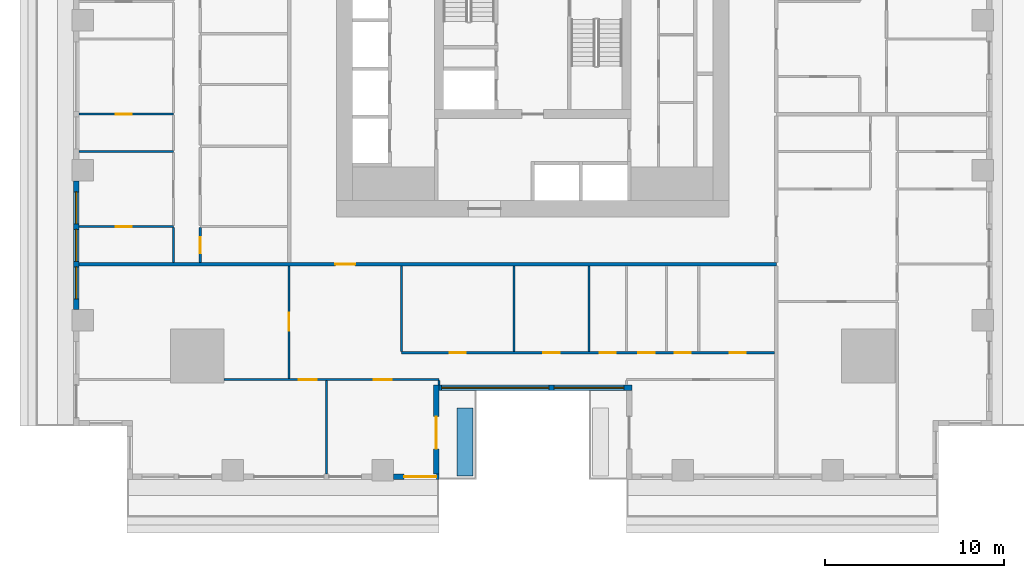
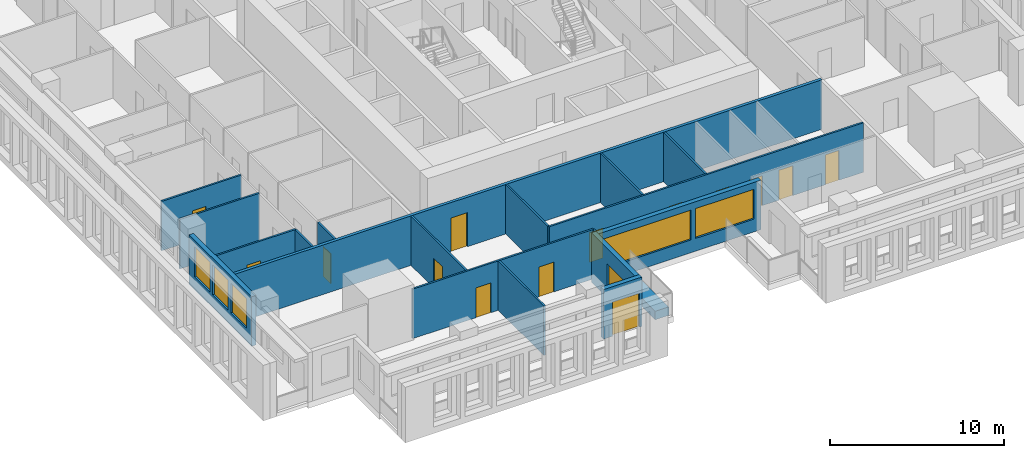
# One storey, part 2 of 15: 19 walls, 15 doors, 5 windows, 20 openings.
"""IFC4 building model written with IfcOpenShell, lengths in metres."""

import ifcopenshell
import ifcopenshell.guid

model = None  # the IFC model being written
_history = None  # IfcOwnerHistory: only IFC2X3 demands one
_inside = {}  # id of a spatial element -> (the spatial element, [elements in it])
_under = {}  # id of a project, library or spatial element -> (it, [spatial elements below it])
_declared = {}  # id of a project -> (the project, [libraries it declares])
_typed = {}  # id of a type object -> (the type object, [elements of that type])
_made_of = {}  # id of a material, layer set ... -> (it, [elements and type objects made of it])


def new_model(schema):
    """Start an empty IFC model of exactly this schema.

    Asked for "IFC4X3", IfcOpenShell would pick the latest addendum, in which some entities
    have other attributes; the version numbers below select the first issue.
    IFC2X3 requires an IfcOwnerHistory on every rooted entity: one is made here for all.
    """
    global model, _history
    if schema == "IFC4X3":
        model = ifcopenshell.file(schema_version=(4, 3, 0, 0))
    else:
        model = ifcopenshell.file(schema=schema)
    _inside.clear()
    _under.clear()
    _declared.clear()
    _typed.clear()
    _made_of.clear()
    _history = None
    if model.schema == "IFC2X3":
        org = make("IfcOrganization", Name="unknown")
        user = make(
            "IfcPersonAndOrganization",
            ThePerson=make("IfcPerson", FamilyName="unknown"),
            TheOrganization=org,
        )
        app = make(
            "IfcApplication",
            ApplicationDeveloper=org,
            Version="unknown",
            ApplicationFullName="unknown",
            ApplicationIdentifier="unknown",
        )
        _history = make(
            "IfcOwnerHistory",
            OwningUser=user,
            OwningApplication=app,
            ChangeAction="ADDED",
            CreationDate=0,
        )
    return model


def make(cls, **values):
    """One entity of the class cls with the attributes given. An attribute that is None is left unset."""
    return model.create_entity(
        cls, **{name: value for name, value in values.items() if value is not None}
    )


def rooted(cls, **values):
    """An entity with a GlobalId (a new one), such as an element, a storey or a relation."""
    return make(cls, GlobalId=ifcopenshell.guid.new(), OwnerHistory=_history, **values)


def si_unit(unit_type, name, prefix=None):
    """IfcSIUnit, for example si_unit("LENGTHUNIT", "METRE", prefix="MILLI")."""
    return make("IfcSIUnit", UnitType=unit_type, Prefix=prefix, Name=name)


def assignment(units):
    """IfcUnitAssignment: the units of a project."""
    return None if units is None else make("IfcUnitAssignment", Units=units)


def point(xyz):
    """IfcCartesianPoint."""
    return None if xyz is None else make("IfcCartesianPoint", Coordinates=xyz)


def direction(xyz):
    """IfcDirection."""
    return None if xyz is None else make("IfcDirection", DirectionRatios=xyz)


def frame(location, z_axis=None, x_axis=None):
    """IfcAxis2Placement3D, a coordinate frame: its origin and axes. An axis left out is left unset."""
    return make(
        "IfcAxis2Placement3D",
        Location=point(location),
        Axis=direction(z_axis),
        RefDirection=direction(x_axis),
    )


def frame_2d(location, x_axis=None):
    """IfcAxis2Placement2D, a coordinate frame in the plane: its origin and x axis."""
    return make(
        "IfcAxis2Placement2D", Location=point(location), RefDirection=direction(x_axis)
    )


def origin():
    """The frame at (0, 0, 0) with its axes left unset."""
    return frame((0.0, 0.0, 0.0))


def place(relative_to, where):
    """IfcLocalPlacement: puts the frame where relative to a parent placement (None: the world)."""
    return make(
        "IfcLocalPlacement", PlacementRelTo=relative_to, RelativePlacement=where
    )


def context(
    kind, dimensions, precision=None, world=None, true_north=None, identifier=None
):
    """IfcGeometricRepresentationContext, for example the 3D "Model" context."""
    return make(
        "IfcGeometricRepresentationContext",
        ContextIdentifier=identifier,
        ContextType=kind,
        CoordinateSpaceDimension=dimensions,
        Precision=precision,
        WorldCoordinateSystem=world,
        TrueNorth=true_north,
    )


def subcontext(parent, identifier, kind, view, scale=None):
    """IfcGeometricRepresentationSubContext, for example "Body" below "Model"."""
    return make(
        "IfcGeometricRepresentationSubContext",
        ContextIdentifier=identifier,
        ContextType=kind,
        ParentContext=parent,
        TargetScale=scale,
        TargetView=view,
    )


def project(units=None, contexts=None):
    """IfcProject with its units and contexts."""
    return rooted(
        "IfcProject",
        Name="project",
        RepresentationContexts=contexts,
        UnitsInContext=assignment(units),
    )


def spatial(cls, under=None, at=None, **own):
    """A site, building, storey or space (cls), placed at a placement, below another one or the project."""
    s = rooted(cls, ObjectPlacement=at, **own)
    if under is not None:
        _under.setdefault(under.id(), (under, []))[1].append(s)
    return s


def profile(cls, at=None, kind="AREA", **sizes):
    """A parametric profile (cls). Its sizes go by their IFC names, for example OverallWidth=200.0."""
    return make(cls, ProfileType=kind, Position=at, **sizes)


def rectangle(**sizes):
    """IfcRectangleProfileDef."""
    return profile("IfcRectangleProfileDef", **sizes)


def extrude(swept, where, along, depth):
    """IfcExtrudedAreaSolid: the profile swept, set in the frame where, extruded along a direction by depth."""
    return make(
        "IfcExtrudedAreaSolid",
        SweptArea=swept,
        Position=where,
        ExtrudedDirection=direction(along),
        Depth=depth,
    )


def shape(context_of_items, identifier, shape_type, items):
    """IfcShapeRepresentation: the items that make up one representation, for example the "Body"."""
    return make(
        "IfcShapeRepresentation",
        ContextOfItems=context_of_items,
        RepresentationIdentifier=identifier,
        RepresentationType=shape_type,
        Items=items,
    )


def material(Name=None, Category=None):
    """IfcMaterial."""
    return make("IfcMaterial", Name=Name, Category=Category)


def layer(
    of_material, thickness, ventilated=None, Name=None, Category=None, Priority=None
):
    """IfcMaterialLayer: one layer of a wall or slab, of a material (None: an air gap)."""
    return make(
        "IfcMaterialLayer",
        Material=of_material,
        LayerThickness=thickness,
        IsVentilated=ventilated,
        Name=Name,
        Category=Category,
        Priority=Priority,
    )


def layer_set(layers, Name=None):
    """IfcMaterialLayerSet."""
    return make("IfcMaterialLayerSet", MaterialLayers=layers, LayerSetName=Name)


def made_of(thing, what):
    """Note that an element or type object is made of a material, layer set ...; save() writes the relation."""
    if what is not None:
        _made_of.setdefault(what.id(), (what, []))[1].append(thing)
    return thing


def type_object(cls, material=None, **own):
    """A type object (cls), such as IfcWallType, which elements share."""
    return made_of(rooted(cls, **own), material)


def element(
    cls,
    number,
    at=None,
    inside=None,
    cuts=None,
    type_object=None,
    material=None,
    context=None,
    identifier="Body",
    shape_type=None,
    held_by="IfcProductDefinitionShape",
    body=None,
    shapes=None,
    **own,
):
    """One element of the class cls, such as IfcWall. Its Tag is "e" and its number.

    at: its placement. inside: the storey or other place that contains it. cuts: it is an
    opening in that element (IfcRelVoidsElement). A single representation is given by context,
    identifier, shape_type and body (its items); several are given by shapes. held_by: the class
    of the entity that holds the representations. save() writes the other relations.
    """
    e = rooted(cls, Tag="e%d" % number, ObjectPlacement=at, **own)
    if body is not None:
        shapes = [shape(context, identifier, shape_type, body)]
    if shapes is not None:
        e.Representation = make(held_by, Representations=shapes)
    if inside is not None:
        _inside.setdefault(inside.id(), (inside, []))[1].append(e)
    if cuts is not None:
        rooted(
            "IfcRelVoidsElement", RelatingBuildingElement=cuts, RelatedOpeningElement=e
        )
    if type_object is not None:
        _typed.setdefault(type_object.id(), (type_object, []))[1].append(e)
    return made_of(e, material)


def fill(opening, filler):
    """IfcRelFillsElement: the door or window that sits in an opening."""
    return rooted(
        "IfcRelFillsElement",
        RelatingOpeningElement=opening,
        RelatedBuildingElement=filler,
    )


def aggregate(whole, parts):
    """IfcRelAggregates: a whole, such as a stair, and the parts it consists of."""
    return rooted("IfcRelAggregates", RelatingObject=whole, RelatedObjects=parts)


def save(model, path):
    """Write the relations noted so far, then the file.

    IfcRelAggregates (storeys below a building ...), IfcRelContainedInSpatialStructure (elements
    in a storey), IfcRelDefinesByType, IfcRelAssociatesMaterial and IfcRelDeclares: one each for
    every whole, place, type object, material and project.
    """
    for whole, parts in _under.values():
        aggregate(whole, parts)
    for where, things in _inside.values():
        rooted(
            "IfcRelContainedInSpatialStructure",
            RelatedElements=things,
            RelatingStructure=where,
        )
    for kind, things in _typed.values():
        rooted("IfcRelDefinesByType", RelatedObjects=things, RelatingType=kind)
    for what, things in _made_of.values():
        rooted("IfcRelAssociatesMaterial", RelatedObjects=things, RelatingMaterial=what)
    for by, libraries in _declared.values():
        rooted("IfcRelDeclares", RelatingContext=by, RelatedDefinitions=libraries)
    model.write(path)


model = new_model("IFC4")

# Units and contexts
model_context = context("Model", 3, precision=1e-05, world=origin(), true_north=direction((0.0, 1.0)))
body_context = subcontext(model_context, "Body", "Model", "MODEL_VIEW")
ifc_project = project(units=[si_unit("LENGTHUNIT", "METRE"), si_unit("AREAUNIT", "SQUARE_METRE"), si_unit("VOLUMEUNIT", "CUBIC_METRE"), si_unit("PLANEANGLEUNIT", "RADIAN"), si_unit("MASSUNIT", "GRAM", prefix="KILO")], contexts=[model_context])

# Site, building, storey
site_placement = place(None, origin())
site = spatial("IfcSite", under=ifc_project, at=site_placement, CompositionType="ELEMENT")
building_placement = place(site_placement, origin())
building = spatial("IfcBuilding", under=site, at=building_placement, Name="Khepri Terraces", CompositionType="ELEMENT")
storey_placement = place(building_placement, frame((0.0, 0.0, 34.800048828125)))
storey = spatial("IfcBuildingStorey", under=building, at=storey_placement, Name="L07", CompositionType="ELEMENT", Elevation=34.800048828125)

# Wall, opening, door
ifc_material_1 = material(Name="Fire-rated gypsum plasterboard partition, mineral wool")
ifc_layer_1 = layer(ifc_material_1, 0.199951171875, Name="Fire-rated gypsum plasterboard partition, mineral wool")
ifc_layer_set_1 = layer_set([ifc_layer_1], Name="Fire-rated gypsum plasterboard partition, mineral wool")
wall_type_1 = type_object("IfcWallType", Name="WL-CORR-200", PredefinedType="PARTITIONING", material=ifc_layer_set_1)
wall_1_placement = place(storey_placement, frame((-25.419921875, -13.64990234375, 0.0), z_axis=(0.0, 0.0, 1.0), x_axis=(1.0, 0.0, 0.0)))
wall_1 = element("IfcWall", 1, at=wall_1_placement, inside=storey, type_object=wall_type_1, Name="Partition P-019 L07", PredefinedType="PARTITIONING", context=body_context, shape_type="SweptSolid", body=[
    extrude(rectangle(XDim=39.06982421875, YDim=0.199951171875, at=frame_2d((19.534912109375, 0.0))), origin(), (0.0, 0.0, 1.0), 3.47998046875),
])
opening_1_placement = place(wall_1_placement, frame((14.3701171875, 0.0, 0.0)))
opening_1 = element("IfcOpeningElement", 2, at=opening_1_placement, cuts=wall_1, Name="Opening D1", PredefinedType="OPENING", context=body_context, shape_type="SweptSolid", body=[
    extrude(rectangle(XDim=1.10009765625, YDim=2.39990234375, at=frame_2d((0.550048828125, 1.199951171875))), frame((0.0, 0.10986328125, 0.0), z_axis=(0.0, -1.0, 0.0), x_axis=(1.0, 0.0, 0.0)), (0.0, 0.0, 1.0), 0.219970703125),
])
ifc_material_2 = material(Name="Solid-core timber door leaf, flat entrance door", Category="wood")
door_type_1 = type_object("IfcDoorType", Name="DR-ENT-1100", OperationType="NOTDEFINED", PredefinedType="DOOR", material=ifc_material_2)
door_1_placement = place(opening_1_placement, frame((1.10009765625, 0.0, 0.0), z_axis=(0.0, 0.0, 1.0), x_axis=(-1.0, 0.0, 0.0)))
door_1 = element("IfcDoor", 3, at=door_1_placement, inside=storey, type_object=door_type_1, Name="Flat A1 entrance door", OperationType="SINGLE_SWING_RIGHT", OverallHeight=2.39990234375, OverallWidth=1.10009765625, PredefinedType="DOOR", context=body_context, shape_type="SweptSolid", body=[
    extrude(rectangle(XDim=1.10009765625, YDim=2.39990234375, at=frame_2d((0.550048828125, 1.199951171875))), frame((0.0, 0.02490234375, 0.0), z_axis=(0.0, -1.0, 0.0), x_axis=(1.0, 0.0, 0.0)), (0.0, 0.0, 1.0), 0.050048828125),
])
fill(opening_1, door_1)

# Wall, openings, windows
ifc_material_3 = material(Name="Precast concrete C50/60 warm stone", Category="masonry")
ifc_layer_2 = layer(ifc_material_3, 0.300048828125, Name="Precast concrete C50/60 warm stone", Category="masonry")
ifc_layer_set_2 = layer_set([ifc_layer_2], Name="Precast concrete C50/60 warm stone")
wall_type_2 = type_object("IfcWallType", Name="WL-EXT-PRECAST-300", PredefinedType="STANDARD", material=ifc_layer_set_2)
wall_2_placement = place(storey_placement, frame((-25.570068359375, -9.0, 0.0), z_axis=(0.0, 0.0, 1.0), x_axis=(0.0, -1.0, 0.0)))
wall_2 = element("IfcWall", 4, at=wall_2_placement, inside=storey, type_object=wall_type_2, Name="External wall L07 W", PredefinedType="STANDARD", context=body_context, shape_type="SweptSolid", body=[
    extrude(rectangle(XDim=7.199951171875, YDim=0.300048828125, at=frame_2d((3.60009765625, 0.0))), origin(), (0.0, 0.0, 1.0), 3.47998046875),
])
opening_2_placement = place(wall_2_placement, frame((0.60009765625, 0.0, 0.89990234375)))
opening_2 = element("IfcOpeningElement", 5, at=opening_2_placement, cuts=wall_2, Name="Opening W1", PredefinedType="OPENING", context=body_context, shape_type="SweptSolid", body=[
    extrude(rectangle(XDim=1.800048828125, YDim=2.10009765625, at=frame_2d((0.89990234375, 1.050048828125))), frame((0.0, 0.16015625, 0.0), z_axis=(0.0, -1.0, 0.0), x_axis=(1.0, 0.0, 0.0)), (0.0, 0.0, 1.0), 0.320068359375),
])
opening_3_placement = place(wall_2_placement, frame((2.699951171875, 0.0, 0.89990234375)))
opening_3 = element("IfcOpeningElement", 6, at=opening_3_placement, cuts=wall_2, Name="Opening W1", PredefinedType="OPENING", context=body_context, shape_type="SweptSolid", body=[
    extrude(rectangle(XDim=1.800048828125, YDim=2.10009765625, at=frame_2d((0.89990234375, 1.050048828125))), frame((0.0, 0.16015625, 0.0), z_axis=(0.0, -1.0, 0.0), x_axis=(1.0, 0.0, 0.0)), (0.0, 0.0, 1.0), 0.320068359375),
])
opening_4_placement = place(wall_2_placement, frame((4.800048828125, 0.0, 0.89990234375)))
opening_4 = element("IfcOpeningElement", 7, at=opening_4_placement, cuts=wall_2, Name="Opening W1", PredefinedType="OPENING", context=body_context, shape_type="SweptSolid", body=[
    extrude(rectangle(XDim=1.800048828125, YDim=2.10009765625, at=frame_2d((0.89990234375, 1.050048828125))), frame((0.0, 0.16015625, 0.0), z_axis=(0.0, -1.0, 0.0), x_axis=(1.0, 0.0, 0.0)), (0.0, 0.0, 1.0), 0.320068359375),
])
ifc_material_4 = material(Name="Clear glass", Category="glass")
window_type_1 = type_object("IfcWindowType", Name="WIN-RES-1800x2100", PartitioningType="SINGLE_PANEL", PredefinedType="WINDOW", material=ifc_material_4)
window_1_placement = place(opening_2_placement, origin())
window_1 = element("IfcWindow", 8, at=window_1_placement, inside=storey, type_object=window_type_1, Name="Window L07 W", OverallHeight=2.10009765625, OverallWidth=1.800048828125, PartitioningType="SINGLE_PANEL", PredefinedType="WINDOW", context=body_context, shape_type="SweptSolid", body=[
    extrude(rectangle(XDim=1.800048828125, YDim=2.10009765625, at=frame_2d((0.89990234375, 1.050048828125))), frame((0.0, 0.030029296875, 0.0), z_axis=(0.0, -1.0, 0.0), x_axis=(1.0, 0.0, 0.0)), (0.0, 0.0, 1.0), 0.06005859375),
])
fill(opening_2, window_1)
window_2_placement = place(opening_3_placement, origin())
window_2 = element("IfcWindow", 9, at=window_2_placement, inside=storey, type_object=window_type_1, Name="Window L07 W", OverallHeight=2.10009765625, OverallWidth=1.800048828125, PartitioningType="SINGLE_PANEL", PredefinedType="WINDOW", context=body_context, shape_type="SweptSolid", body=[
    extrude(rectangle(XDim=1.800048828125, YDim=2.10009765625, at=frame_2d((0.89990234375, 1.050048828125))), frame((0.0, 0.030029296875, 0.0), z_axis=(0.0, -1.0, 0.0), x_axis=(1.0, 0.0, 0.0)), (0.0, 0.0, 1.0), 0.06005859375),
])
fill(opening_3, window_2)
window_3_placement = place(opening_4_placement, origin())
window_3 = element("IfcWindow", 10, at=window_3_placement, inside=storey, type_object=window_type_1, Name="Window L07 W", OverallHeight=2.10009765625, OverallWidth=1.800048828125, PartitioningType="SINGLE_PANEL", PredefinedType="WINDOW", context=body_context, shape_type="SweptSolid", body=[
    extrude(rectangle(XDim=1.800048828125, YDim=2.10009765625, at=frame_2d((0.89990234375, 1.050048828125))), frame((0.0, 0.030029296875, 0.0), z_axis=(0.0, -1.0, 0.0), x_axis=(1.0, 0.0, 0.0)), (0.0, 0.0, 1.0), 0.06005859375),
])
fill(opening_4, window_3)

# Wall, opening, door
wall_3_placement = place(storey_placement, frame((-7.800048828125, -25.570068359375, 0.0), z_axis=(0.0, 0.0, 1.0), x_axis=(1.0, 0.0, 0.0)))
wall_3 = element("IfcWall", 11, at=wall_3_placement, inside=storey, type_object=wall_type_2, Name="External wall L07 S", PredefinedType="STANDARD", context=body_context, shape_type="SweptSolid", body=[
    extrude(rectangle(XDim=2.550048828125, YDim=0.300048828125, at=frame_2d((1.27490234375, 0.0))), origin(), (0.0, 0.0, 1.0), 3.47998046875),
])
opening_5_placement = place(wall_3_placement, frame((0.60009765625, 0.0, 0.0)))
opening_5 = element("IfcOpeningElement", 12, at=opening_5_placement, cuts=wall_3, Name="Opening ED-L07-20", PredefinedType="OPENING", context=body_context, shape_type="SweptSolid", body=[
    extrude(rectangle(XDim=1.800048828125, YDim=2.39990234375, at=frame_2d((0.89990234375, 1.199951171875))), frame((0.0, 0.16015625, 0.0), z_axis=(0.0, -1.0, 0.0), x_axis=(1.0, 0.0, 0.0)), (0.0, 0.0, 1.0), 0.320068359375),
])
ifc_material_5 = material(Name="Anodised aluminium bronze glazed door", Category="aluminium")
door_type_2 = type_object("IfcDoorType", Name="DR-BAL-SLIDE-1800x2400", OperationType="NOTDEFINED", PredefinedType="DOOR", material=ifc_material_5)
door_2_placement = place(opening_5_placement, origin())
door_2 = element("IfcDoor", 13, at=door_2_placement, inside=storey, type_object=door_type_2, Name="Balcony door L07 S", OperationType="SLIDING_TO_LEFT", OverallHeight=2.39990234375, OverallWidth=1.800048828125, PredefinedType="DOOR", context=body_context, shape_type="SweptSolid", body=[
    extrude(rectangle(XDim=1.800048828125, YDim=2.39990234375, at=frame_2d((0.89990234375, 1.199951171875))), frame((0.0, 0.02490234375, 0.0), z_axis=(0.0, -1.0, 0.0), x_axis=(1.0, 0.0, 0.0)), (0.0, 0.0, 1.0), 0.050048828125),
])
fill(opening_5, door_2)

wall_4_placement = place(storey_placement, frame((-5.39990234375, -25.419921875, 0.0), z_axis=(0.0, 0.0, 1.0), x_axis=(0.0, 1.0, 0.0)))
wall_4 = element("IfcWall", 14, at=wall_4_placement, inside=storey, type_object=wall_type_2, Name="External wall L07 E", PredefinedType="STANDARD", context=body_context, shape_type="SweptSolid", body=[
    extrude(rectangle(XDim=5.0, YDim=0.300048828125, at=frame_2d((2.5, 0.0))), origin(), (0.0, 0.0, 1.0), 3.47998046875),
])
opening_6_placement = place(wall_4_placement, frame((1.419921875, 0.0, 0.0)))
opening_6 = element("IfcOpeningElement", 15, at=opening_6_placement, cuts=wall_4, Name="Opening ED-L07-21", PredefinedType="OPENING", context=body_context, shape_type="SweptSolid", body=[
    extrude(rectangle(XDim=1.800048828125, YDim=2.39990234375, at=frame_2d((0.89990234375, 1.199951171875))), frame((0.0, 0.16015625, 0.0), z_axis=(0.0, -1.0, 0.0), x_axis=(1.0, 0.0, 0.0)), (0.0, 0.0, 1.0), 0.320068359375),
])
door_3_placement = place(opening_6_placement, origin())
door_3 = element("IfcDoor", 16, at=door_3_placement, inside=storey, type_object=door_type_2, Name="Balcony door L07 E", OperationType="SLIDING_TO_LEFT", OverallHeight=2.39990234375, OverallWidth=1.800048828125, PredefinedType="DOOR", context=body_context, shape_type="SweptSolid", body=[
    extrude(rectangle(XDim=1.800048828125, YDim=2.39990234375, at=frame_2d((0.89990234375, 1.199951171875))), frame((0.0, 0.02490234375, 0.0), z_axis=(0.0, -1.0, 0.0), x_axis=(1.0, 0.0, 0.0)), (0.0, 0.0, 1.0), 0.050048828125),
])
fill(opening_6, door_3)

# Wall, openings, windows
wall_5_placement = place(storey_placement, frame((-5.25, -20.570068359375, 0.0), z_axis=(0.0, 0.0, 1.0), x_axis=(1.0, 0.0, 0.0)))
wall_5 = element("IfcWall", 17, at=wall_5_placement, inside=storey, type_object=wall_type_2, Name="External wall L07 S", PredefinedType="STANDARD", context=body_context, shape_type="SweptSolid", body=[
    extrude(rectangle(XDim=10.800048828125, YDim=0.300048828125, at=frame_2d((5.39990234375, 0.0))), origin(), (0.0, 0.0, 1.0), 3.47998046875),
])
opening_7_placement = place(wall_5_placement, frame((0.14990234375, 0.0, 0.89990234375)))
opening_7 = element("IfcOpeningElement", 18, at=opening_7_placement, cuts=wall_5, Name="Opening W3", PredefinedType="OPENING", context=body_context, shape_type="SweptSolid", body=[
    extrude(rectangle(XDim=6.0, YDim=2.10009765625, at=frame_2d((3.0, 1.050048828125))), frame((0.0, 0.16015625, 0.0), z_axis=(0.0, -1.0, 0.0), x_axis=(1.0, 0.0, 0.0)), (0.0, 0.0, 1.0), 0.320068359375),
])
opening_8_placement = place(wall_5_placement, frame((6.449951171875, 0.0, 0.89990234375)))
opening_8 = element("IfcOpeningElement", 19, at=opening_8_placement, cuts=wall_5, Name="Opening W2", PredefinedType="OPENING", context=body_context, shape_type="SweptSolid", body=[
    extrude(rectangle(XDim=3.89990234375, YDim=2.10009765625, at=frame_2d((1.949951171875, 1.050048828125))), frame((0.0, 0.16015625, 0.0), z_axis=(0.0, -1.0, 0.0), x_axis=(1.0, 0.0, 0.0)), (0.0, 0.0, 1.0), 0.320068359375),
])
window_type_2 = type_object("IfcWindowType", Name="WIN-RES-3900x2100", PartitioningType="SINGLE_PANEL", PredefinedType="WINDOW", material=ifc_material_4)
window_4_placement = place(opening_8_placement, origin())
window_4 = element("IfcWindow", 20, at=window_4_placement, inside=storey, type_object=window_type_2, Name="Window L07 S", OverallHeight=2.10009765625, OverallWidth=3.89990234375, PartitioningType="SINGLE_PANEL", PredefinedType="WINDOW", context=body_context, shape_type="SweptSolid", body=[
    extrude(rectangle(XDim=3.89990234375, YDim=2.10009765625, at=frame_2d((1.949951171875, 1.050048828125))), frame((0.0, 0.030029296875, 0.0), z_axis=(0.0, -1.0, 0.0), x_axis=(1.0, 0.0, 0.0)), (0.0, 0.0, 1.0), 0.06005859375),
])
fill(opening_8, window_4)
window_type_3 = type_object("IfcWindowType", Name="WIN-RES-6000x2100", PartitioningType="SINGLE_PANEL", PredefinedType="WINDOW", material=ifc_material_4)
window_5_placement = place(opening_7_placement, origin())
window_5 = element("IfcWindow", 21, at=window_5_placement, inside=storey, type_object=window_type_3, Name="Window L07 S", OverallHeight=2.10009765625, OverallWidth=6.0, PartitioningType="SINGLE_PANEL", PredefinedType="WINDOW", context=body_context, shape_type="SweptSolid", body=[
    extrude(rectangle(XDim=6.0, YDim=2.10009765625, at=frame_2d((3.0, 1.050048828125))), frame((0.0, 0.030029296875, 0.0), z_axis=(0.0, -1.0, 0.0), x_axis=(1.0, 0.0, 0.0)), (0.0, 0.0, 1.0), 0.06005859375),
])
fill(opening_7, window_5)

# Walls
ifc_material_6 = material(Name="Gypsum plasterboard partition")
ifc_layer_3 = layer(ifc_material_6, 0.1201171875, Name="Gypsum plasterboard partition")
ifc_layer_set_3 = layer_set([ifc_layer_3], Name="Gypsum plasterboard partition")
wall_type_3 = type_object("IfcWallType", Name="WL-PART-120", PredefinedType="PARTITIONING", material=ifc_layer_set_3)
wall_6_placement = place(storey_placement, frame((-11.550048828125, -25.419921875, 0.0), z_axis=(0.0, 0.0, 1.0), x_axis=(0.0, 1.0, 0.0)))
element("IfcWall", 22, at=wall_6_placement, inside=storey, type_object=wall_type_3, Name="Partition P-001 L07", PredefinedType="PARTITIONING", context=body_context, shape_type="SweptSolid", body=[
    extrude(rectangle(XDim=5.239990234375, YDim=0.1201171875, at=frame_2d((2.6201171875, 0.0))), origin(), (0.0, 0.0, 1.0), 3.47998046875),
])
wall_7_placement = place(storey_placement, frame((-5.25, -20.419921875, 0.0), z_axis=(0.0, 0.0, 1.0), x_axis=(0.0, 1.0, 0.0)))
element("IfcWall", 23, at=wall_7_placement, inside=storey, type_object=wall_type_3, Name="Partition P-004 L07", PredefinedType="PARTITIONING", context=body_context, shape_type="SweptSolid", body=[
    extrude(rectangle(XDim=0.239990234375, YDim=0.1201171875, at=frame_2d((0.1201171875, 0.0))), origin(), (0.0, 0.0, 1.0), 3.47998046875),
])

# Wall, openings, doors
wall_8_placement = place(storey_placement, frame((-17.300048828125, -20.1201171875, 0.0), z_axis=(0.0, 0.0, 1.0), x_axis=(1.0, 0.0, 0.0)))
wall_8 = element("IfcWall", 24, at=wall_8_placement, inside=storey, type_object=wall_type_3, Name="Partition P-007 L07", PredefinedType="PARTITIONING", context=body_context, shape_type="SweptSolid", body=[
    extrude(rectangle(XDim=12.050048828125, YDim=0.1201171875, at=frame_2d((6.02490234375, 0.0))), origin(), (0.0, 0.0, 1.0), 3.47998046875),
])
opening_9_placement = place(wall_8_placement, frame((4.199951171875, 0.0, 0.0)))
opening_9 = element("IfcOpeningElement", 25, at=opening_9_placement, cuts=wall_8, Name="Opening D2", PredefinedType="OPENING", context=body_context, shape_type="SweptSolid", body=[
    extrude(rectangle(XDim=1.0, YDim=2.10009765625, at=frame_2d((0.5, 1.050048828125))), frame((0.0, 0.070068359375, 0.0), z_axis=(0.0, -1.0, 0.0), x_axis=(1.0, 0.0, 0.0)), (0.0, 0.0, 1.0), 0.14013671875),
])
opening_10_placement = place(wall_8_placement, frame((8.39990234375, 0.0, 0.0)))
opening_10 = element("IfcOpeningElement", 26, at=opening_10_placement, cuts=wall_8, Name="Opening D2", PredefinedType="OPENING", context=body_context, shape_type="SweptSolid", body=[
    extrude(rectangle(XDim=1.0, YDim=2.10009765625, at=frame_2d((0.5, 1.050048828125))), frame((0.0, 0.070068359375, 0.0), z_axis=(0.0, -1.0, 0.0), x_axis=(1.0, 0.0, 0.0)), (0.0, 0.0, 1.0), 0.14013671875),
])
ifc_material_7 = material(Name="Timber door leaf, living room door", Category="wood")
door_type_3 = type_object("IfcDoorType", Name="DR-INT-1000", OperationType="NOTDEFINED", PredefinedType="DOOR", material=ifc_material_7)
door_4_placement = place(opening_9_placement, frame((1.0, 0.0, 0.0), z_axis=(0.0, 0.0, 1.0), x_axis=(-1.0, 0.0, 0.0)))
door_4 = element("IfcDoor", 27, at=door_4_placement, inside=storey, type_object=door_type_3, Name="Door Living Room", OperationType="SINGLE_SWING_RIGHT", OverallHeight=2.10009765625, OverallWidth=1.0, PredefinedType="DOOR", context=body_context, shape_type="SweptSolid", body=[
    extrude(rectangle(XDim=1.0, YDim=2.10009765625, at=frame_2d((0.5, 1.050048828125))), frame((0.0, 0.02490234375, 0.0), z_axis=(0.0, -1.0, 0.0), x_axis=(1.0, 0.0, 0.0)), (0.0, 0.0, 1.0), 0.050048828125),
])
fill(opening_9, door_4)
door_5_placement = place(opening_10_placement, frame((1.0, 0.0, 0.0), z_axis=(0.0, 0.0, 1.0), x_axis=(-1.0, 0.0, 0.0)))
door_5 = element("IfcDoor", 28, at=door_5_placement, inside=storey, type_object=door_type_3, Name="Door Sun Lounge", OperationType="SINGLE_SWING_LEFT", OverallHeight=2.10009765625, OverallWidth=1.0, PredefinedType="DOOR", context=body_context, shape_type="SweptSolid", body=[
    extrude(rectangle(XDim=1.0, YDim=2.10009765625, at=frame_2d((0.5, 1.050048828125))), frame((0.0, 0.02490234375, 0.0), z_axis=(0.0, -1.0, 0.0), x_axis=(1.0, 0.0, 0.0)), (0.0, 0.0, 1.0), 0.050048828125),
])
fill(opening_10, door_5)

# Wall, opening, door
wall_9_placement = place(storey_placement, frame((-13.64990234375, -20.06005859375, 0.0), z_axis=(0.0, 0.0, 1.0), x_axis=(0.0, 1.0, 0.0)))
wall_9 = element("IfcWall", 29, at=wall_9_placement, inside=storey, type_object=wall_type_3, Name="Partition P-009 L07", PredefinedType="PARTITIONING", context=body_context, shape_type="SweptSolid", body=[
    extrude(rectangle(XDim=6.31005859375, YDim=0.1201171875, at=frame_2d((3.155029296875, 0.0))), origin(), (0.0, 0.0, 1.0), 3.47998046875),
])
opening_11_placement = place(wall_9_placement, frame((2.675048828125, 0.0, 0.0)))
opening_11 = element("IfcOpeningElement", 30, at=opening_11_placement, cuts=wall_9, Name="Opening D2", PredefinedType="OPENING", context=body_context, shape_type="SweptSolid", body=[
    extrude(rectangle(XDim=1.0, YDim=2.10009765625, at=frame_2d((0.5, 1.050048828125))), frame((0.0, 0.070068359375, 0.0), z_axis=(0.0, -1.0, 0.0), x_axis=(1.0, 0.0, 0.0)), (0.0, 0.0, 1.0), 0.14013671875),
])
door_6_placement = place(opening_11_placement, origin())
door_6 = element("IfcDoor", 31, at=door_6_placement, inside=storey, type_object=door_type_3, Name="Door Family Room", OperationType="SINGLE_SWING_RIGHT", OverallHeight=2.10009765625, OverallWidth=1.0, PredefinedType="DOOR", context=body_context, shape_type="SweptSolid", body=[
    extrude(rectangle(XDim=1.0, YDim=2.10009765625, at=frame_2d((0.5, 1.050048828125))), frame((0.0, 0.02490234375, 0.0), z_axis=(0.0, -1.0, 0.0), x_axis=(1.0, 0.0, 0.0)), (0.0, 0.0, 1.0), 0.050048828125),
])
fill(opening_11, door_6)

# Wall, openings, doors
wall_10_placement = place(storey_placement, frame((-7.35009765625, -18.6201171875, 0.0), z_axis=(0.0, 0.0, 1.0), x_axis=(1.0, 0.0, 0.0)))
wall_10 = element("IfcWall", 32, at=wall_10_placement, inside=storey, type_object=wall_type_3, Name="Partition P-010 L07", PredefinedType="PARTITIONING", context=body_context, shape_type="SweptSolid", body=[
    extrude(rectangle(XDim=20.900146484375, YDim=0.1201171875, at=frame_2d((10.4501953125, 0.0))), origin(), (0.0, 0.0, 1.0), 3.47998046875),
])
opening_12_placement = place(wall_10_placement, frame((2.699951171875, 0.0, 0.0)))
opening_12 = element("IfcOpeningElement", 33, at=opening_12_placement, cuts=wall_10, Name="Opening D3", PredefinedType="OPENING", context=body_context, shape_type="SweptSolid", body=[
    extrude(rectangle(XDim=0.89990234375, YDim=2.10009765625, at=frame_2d((0.449951171875, 1.050048828125))), frame((0.0, 0.070068359375, 0.0), z_axis=(0.0, -1.0, 0.0), x_axis=(1.0, 0.0, 0.0)), (0.0, 0.0, 1.0), 0.14013671875),
])
opening_13_placement = place(wall_10_placement, frame((7.949951171875, 0.0, 0.0)))
opening_13 = element("IfcOpeningElement", 34, at=opening_13_placement, cuts=wall_10, Name="Opening D3", PredefinedType="OPENING", context=body_context, shape_type="SweptSolid", body=[
    extrude(rectangle(XDim=0.89990234375, YDim=2.10009765625, at=frame_2d((0.449951171875, 1.050048828125))), frame((0.0, 0.070068359375, 0.0), z_axis=(0.0, -1.0, 0.0), x_axis=(1.0, 0.0, 0.0)), (0.0, 0.0, 1.0), 0.14013671875),
])
opening_14_placement = place(wall_10_placement, frame((11.10009765625, 0.0, 0.0)))
opening_14 = element("IfcOpeningElement", 35, at=opening_14_placement, cuts=wall_10, Name="Opening D3", PredefinedType="OPENING", context=body_context, shape_type="SweptSolid", body=[
    extrude(rectangle(XDim=0.89990234375, YDim=2.10009765625, at=frame_2d((0.449951171875, 1.050048828125))), frame((0.0, 0.070068359375, 0.0), z_axis=(0.0, -1.0, 0.0), x_axis=(1.0, 0.0, 0.0)), (0.0, 0.0, 1.0), 0.14013671875),
])
opening_15_placement = place(wall_10_placement, frame((13.27490234375, 0.0, 0.0)))
opening_15 = element("IfcOpeningElement", 36, at=opening_15_placement, cuts=wall_10, Name="Opening D4", PredefinedType="OPENING", context=body_context, shape_type="SweptSolid", body=[
    extrude(rectangle(XDim=0.89990234375, YDim=2.10009765625, at=frame_2d((0.449951171875, 1.050048828125))), frame((0.0, 0.070068359375, 0.0), z_axis=(0.0, -1.0, 0.0), x_axis=(1.0, 0.0, 0.0)), (0.0, 0.0, 1.0), 0.14013671875),
])
opening_16_placement = place(wall_10_placement, frame((15.300048828125, 0.0, 0.0)))
opening_16 = element("IfcOpeningElement", 37, at=opening_16_placement, cuts=wall_10, Name="Opening D4", PredefinedType="OPENING", context=body_context, shape_type="SweptSolid", body=[
    extrude(rectangle(XDim=0.89990234375, YDim=2.10009765625, at=frame_2d((0.449951171875, 1.050048828125))), frame((0.0, 0.070068359375, 0.0), z_axis=(0.0, -1.0, 0.0), x_axis=(1.0, 0.0, 0.0)), (0.0, 0.0, 1.0), 0.14013671875),
])
opening_17_placement = place(wall_10_placement, frame((18.375, 0.0, 0.0)))
opening_17 = element("IfcOpeningElement", 38, at=opening_17_placement, cuts=wall_10, Name="Opening D3", PredefinedType="OPENING", context=body_context, shape_type="SweptSolid", body=[
    extrude(rectangle(XDim=0.89990234375, YDim=2.10009765625, at=frame_2d((0.449951171875, 1.050048828125))), frame((0.0, 0.070068359375, 0.0), z_axis=(0.0, -1.0, 0.0), x_axis=(1.0, 0.0, 0.0)), (0.0, 0.0, 1.0), 0.14013671875),
])
ifc_material_8 = material(Name="Timber door leaf", Category="wood")
door_type_4 = type_object("IfcDoorType", Name="DR-INT-900", OperationType="NOTDEFINED", PredefinedType="DOOR", material=ifc_material_8)
door_7_placement = place(opening_12_placement, origin())
door_7 = element("IfcDoor", 39, at=door_7_placement, inside=storey, type_object=door_type_4, Name="Door Kitchen", OperationType="SINGLE_SWING_LEFT", OverallHeight=2.10009765625, OverallWidth=0.89990234375, PredefinedType="DOOR", context=body_context, shape_type="SweptSolid", body=[
    extrude(rectangle(XDim=0.89990234375, YDim=2.10009765625, at=frame_2d((0.449951171875, 1.050048828125))), frame((0.0, 0.02490234375, 0.0), z_axis=(0.0, -1.0, 0.0), x_axis=(1.0, 0.0, 0.0)), (0.0, 0.0, 1.0), 0.050048828125),
])
fill(opening_12, door_7)
door_8_placement = place(opening_13_placement, origin())
door_8 = element("IfcDoor", 40, at=door_8_placement, inside=storey, type_object=door_type_4, Name="Door Service Store", OperationType="SINGLE_SWING_LEFT", OverallHeight=2.10009765625, OverallWidth=0.89990234375, PredefinedType="DOOR", context=body_context, shape_type="SweptSolid", body=[
    extrude(rectangle(XDim=0.89990234375, YDim=2.10009765625, at=frame_2d((0.449951171875, 1.050048828125))), frame((0.0, 0.02490234375, 0.0), z_axis=(0.0, -1.0, 0.0), x_axis=(1.0, 0.0, 0.0)), (0.0, 0.0, 1.0), 0.050048828125),
])
fill(opening_13, door_8)
door_9_placement = place(opening_14_placement, origin())
door_9 = element("IfcDoor", 41, at=door_9_placement, inside=storey, type_object=door_type_4, Name="Door Utility Room", OperationType="SINGLE_SWING_RIGHT", OverallHeight=2.10009765625, OverallWidth=0.89990234375, PredefinedType="DOOR", context=body_context, shape_type="SweptSolid", body=[
    extrude(rectangle(XDim=0.89990234375, YDim=2.10009765625, at=frame_2d((0.449951171875, 1.050048828125))), frame((0.0, 0.02490234375, 0.0), z_axis=(0.0, -1.0, 0.0), x_axis=(1.0, 0.0, 0.0)), (0.0, 0.0, 1.0), 0.050048828125),
])
fill(opening_14, door_9)
door_10_placement = place(opening_17_placement, origin())
door_10 = element("IfcDoor", 42, at=door_10_placement, inside=storey, type_object=door_type_4, Name="Door Staff Bedroom", OperationType="SINGLE_SWING_RIGHT", OverallHeight=2.10009765625, OverallWidth=0.89990234375, PredefinedType="DOOR", context=body_context, shape_type="SweptSolid", body=[
    extrude(rectangle(XDim=0.89990234375, YDim=2.10009765625, at=frame_2d((0.449951171875, 1.050048828125))), frame((0.0, 0.02490234375, 0.0), z_axis=(0.0, -1.0, 0.0), x_axis=(1.0, 0.0, 0.0)), (0.0, 0.0, 1.0), 0.050048828125),
])
fill(opening_17, door_10)
ifc_material_9 = material(Name="Timber door leaf, moisture resistant", Category="wood")
door_type_5 = type_object("IfcDoorType", Name="DR-WET-900", OperationType="NOTDEFINED", PredefinedType="DOOR", material=ifc_material_9)
door_11_placement = place(opening_15_placement, origin())
door_11 = element("IfcDoor", 43, at=door_11_placement, inside=storey, type_object=door_type_5, Name="Door Powder Room", OperationType="SINGLE_SWING_RIGHT", OverallHeight=2.10009765625, OverallWidth=0.89990234375, PredefinedType="DOOR", context=body_context, shape_type="SweptSolid", body=[
    extrude(rectangle(XDim=0.89990234375, YDim=2.10009765625, at=frame_2d((0.449951171875, 1.050048828125))), frame((0.0, 0.02490234375, 0.0), z_axis=(0.0, -1.0, 0.0), x_axis=(1.0, 0.0, 0.0)), (0.0, 0.0, 1.0), 0.050048828125),
])
fill(opening_15, door_11)
door_12_placement = place(opening_16_placement, origin())
door_12 = element("IfcDoor", 44, at=door_12_placement, inside=storey, type_object=door_type_5, Name="Door Guest Bathroom", OperationType="SINGLE_SWING_RIGHT", OverallHeight=2.10009765625, OverallWidth=0.89990234375, PredefinedType="DOOR", context=body_context, shape_type="SweptSolid", body=[
    extrude(rectangle(XDim=0.89990234375, YDim=2.10009765625, at=frame_2d((0.449951171875, 1.050048828125))), frame((0.0, 0.02490234375, 0.0), z_axis=(0.0, -1.0, 0.0), x_axis=(1.0, 0.0, 0.0)), (0.0, 0.0, 1.0), 0.050048828125),
])
fill(opening_16, door_12)

# Walls
for number, where, z_axis, x_axis, name in (
    (45, (-7.35009765625, -18.56005859375, 0.0), (0.0, 0.0, 1.0), (0.0, 1.0, 0.0), "Partition P-011 L07"),
    (46, (-1.050048828125, -18.56005859375, 0.0), (0.0, 0.0, 1.0), (0.0, 1.0, 0.0), "Partition P-012 L07"),
    (47, (3.14990234375, -18.56005859375, 0.0), (0.0, 0.0, 1.0), (0.0, 1.0, 0.0), "Partition P-013 L07"),
):
    element("IfcWall", number, at=place(storey_placement, frame(where, z_axis=z_axis, x_axis=x_axis)), inside=storey, type_object=wall_type_3, Name=name, PredefinedType="PARTITIONING", context=body_context, shape_type="SweptSolid", body=[
        extrude(rectangle(XDim=4.81005859375, YDim=0.1201171875, at=frame_2d((2.405029296875, 0.0))), origin(), (0.0, 0.0, 1.0), 3.47998046875),
    ])
wall_11_placement = place(storey_placement, frame((-20.1201171875, -13.550048828125, 0.0), z_axis=(0.0, 0.0, 1.0), x_axis=(0.0, 1.0, 0.0)))
element("IfcWall", 48, at=wall_11_placement, inside=storey, type_object=wall_type_3, Name="Partition P-022 L07", PredefinedType="PARTITIONING", context=body_context, shape_type="SweptSolid", body=[
    extrude(rectangle(XDim=1.93994140625, YDim=0.1201171875, at=frame_2d((0.969970703125, 0.0))), origin(), (0.0, 0.0, 1.0), 3.47998046875),
])

# Wall, opening, door
wall_12_placement = place(storey_placement, frame((-18.6201171875, -13.550048828125, 0.0), z_axis=(0.0, 0.0, 1.0), x_axis=(0.0, 1.0, 0.0)))
wall_12 = element("IfcWall", 49, at=wall_12_placement, inside=storey, type_object=wall_type_3, Name="Partition P-023 L07", PredefinedType="PARTITIONING", context=body_context, shape_type="SweptSolid", body=[
    extrude(rectangle(XDim=1.93994140625, YDim=0.1201171875, at=frame_2d((0.969970703125, 0.0))), origin(), (0.0, 0.0, 1.0), 3.47998046875),
])
opening_18_placement = place(wall_12_placement, frame((0.5, 0.0, 0.0)))
opening_18 = element("IfcOpeningElement", 50, at=opening_18_placement, cuts=wall_12, Name="Opening D3", PredefinedType="OPENING", context=body_context, shape_type="SweptSolid", body=[
    extrude(rectangle(XDim=0.89990234375, YDim=2.10009765625, at=frame_2d((0.449951171875, 1.050048828125))), frame((0.0, 0.070068359375, 0.0), z_axis=(0.0, -1.0, 0.0), x_axis=(1.0, 0.0, 0.0)), (0.0, 0.0, 1.0), 0.14013671875),
])
door_13_placement = place(opening_18_placement, frame((0.89990234375, 0.0, 0.0), z_axis=(0.0, 0.0, 1.0), x_axis=(-1.0, 0.0, 0.0)))
door_13 = element("IfcDoor", 51, at=door_13_placement, inside=storey, type_object=door_type_4, Name="Door Utility Room", OperationType="SINGLE_SWING_RIGHT", OverallHeight=2.10009765625, OverallWidth=0.89990234375, PredefinedType="DOOR", context=body_context, shape_type="SweptSolid", body=[
    extrude(rectangle(XDim=0.89990234375, YDim=2.10009765625, at=frame_2d((0.449951171875, 1.050048828125))), frame((0.0, 0.02490234375, 0.0), z_axis=(0.0, -1.0, 0.0), x_axis=(1.0, 0.0, 0.0)), (0.0, 0.0, 1.0), 0.050048828125),
])
fill(opening_18, door_13)

wall_13_placement = place(storey_placement, frame((-25.419921875, -11.550048828125, 0.0), z_axis=(0.0, 0.0, 1.0), x_axis=(1.0, 0.0, 0.0)))
wall_13 = element("IfcWall", 52, at=wall_13_placement, inside=storey, type_object=wall_type_3, Name="Partition P-026 L07", PredefinedType="PARTITIONING", context=body_context, shape_type="SweptSolid", body=[
    extrude(rectangle(XDim=5.2998046875, YDim=0.1201171875, at=frame_2d((2.64990234375, 0.0))), origin(), (0.0, 0.0, 1.0), 3.47998046875),
])
opening_19_placement = place(wall_13_placement, frame((2.050048828125, 0.0, 0.0)))
opening_19 = element("IfcOpeningElement", 53, at=opening_19_placement, cuts=wall_13, Name="Opening D4", PredefinedType="OPENING", context=body_context, shape_type="SweptSolid", body=[
    extrude(rectangle(XDim=0.89990234375, YDim=2.10009765625, at=frame_2d((0.449951171875, 1.050048828125))), frame((0.0, 0.070068359375, 0.0), z_axis=(0.0, -1.0, 0.0), x_axis=(1.0, 0.0, 0.0)), (0.0, 0.0, 1.0), 0.14013671875),
])
door_14_placement = place(opening_19_placement, frame((0.89990234375, 0.0, 0.0), z_axis=(0.0, 0.0, 1.0), x_axis=(-1.0, 0.0, 0.0)))
door_14 = element("IfcDoor", 54, at=door_14_placement, inside=storey, type_object=door_type_5, Name="Door Bathroom", OperationType="SINGLE_SWING_RIGHT", OverallHeight=2.10009765625, OverallWidth=0.89990234375, PredefinedType="DOOR", context=body_context, shape_type="SweptSolid", body=[
    extrude(rectangle(XDim=0.89990234375, YDim=2.10009765625, at=frame_2d((0.449951171875, 1.050048828125))), frame((0.0, 0.02490234375, 0.0), z_axis=(0.0, -1.0, 0.0), x_axis=(1.0, 0.0, 0.0)), (0.0, 0.0, 1.0), 0.050048828125),
])
fill(opening_19, door_14)

# Wall
wall_14_placement = place(storey_placement, frame((-25.419921875, -7.35009765625, 0.0), z_axis=(0.0, 0.0, 1.0), x_axis=(1.0, 0.0, 0.0)))
element("IfcWall", 55, at=wall_14_placement, inside=storey, type_object=wall_type_3, Name="Partition P-034 L07", PredefinedType="PARTITIONING", context=body_context, shape_type="SweptSolid", body=[
    extrude(rectangle(XDim=5.2998046875, YDim=0.1201171875, at=frame_2d((2.64990234375, 0.0))), origin(), (0.0, 0.0, 1.0), 3.47998046875),
])

# Wall, opening, door
wall_15_placement = place(storey_placement, frame((-25.419921875, -5.25, 0.0), z_axis=(0.0, 0.0, 1.0), x_axis=(1.0, 0.0, 0.0)))
wall_15 = element("IfcWall", 56, at=wall_15_placement, inside=storey, type_object=wall_type_3, Name="Partition P-042 L07", PredefinedType="PARTITIONING", context=body_context, shape_type="SweptSolid", body=[
    extrude(rectangle(XDim=5.2998046875, YDim=0.1201171875, at=frame_2d((2.64990234375, 0.0))), origin(), (0.0, 0.0, 1.0), 3.47998046875),
])
opening_20_placement = place(wall_15_placement, frame((2.050048828125, 0.0, 0.0)))
opening_20 = element("IfcOpeningElement", 57, at=opening_20_placement, cuts=wall_15, Name="Opening D4", PredefinedType="OPENING", context=body_context, shape_type="SweptSolid", body=[
    extrude(rectangle(XDim=0.89990234375, YDim=2.10009765625, at=frame_2d((0.449951171875, 1.050048828125))), frame((0.0, 0.070068359375, 0.0), z_axis=(0.0, -1.0, 0.0), x_axis=(1.0, 0.0, 0.0)), (0.0, 0.0, 1.0), 0.14013671875),
])
door_15_placement = place(opening_20_placement, frame((0.89990234375, 0.0, 0.0), z_axis=(0.0, 0.0, 1.0), x_axis=(-1.0, 0.0, 0.0)))
door_15 = element("IfcDoor", 58, at=door_15_placement, inside=storey, type_object=door_type_5, Name="Door Bathroom", OperationType="SINGLE_SWING_RIGHT", OverallHeight=2.10009765625, OverallWidth=0.89990234375, PredefinedType="DOOR", context=body_context, shape_type="SweptSolid", body=[
    extrude(rectangle(XDim=0.89990234375, YDim=2.10009765625, at=frame_2d((0.449951171875, 1.050048828125))), frame((0.0, 0.02490234375, 0.0), z_axis=(0.0, -1.0, 0.0), x_axis=(1.0, 0.0, 0.0)), (0.0, 0.0, 1.0), 0.050048828125),
])
fill(opening_20, door_15)

# Wall
ifc_layer_4 = layer(ifc_material_3, 0.89990234375, Name="Precast concrete C50/60 warm stone", Category="masonry")
ifc_layer_set_4 = layer_set([ifc_layer_4], Name="Precast concrete C50/60 warm stone")
wall_type_4 = type_object("IfcWallType", Name="WL-PLANTER-900", PredefinedType="MOVABLE", material=ifc_layer_set_4)
wall_16_placement = place(storey_placement, frame((-3.800048828125, -25.52001953125, 0.0), z_axis=(0.0, 0.0, 1.0), x_axis=(0.0, 1.0, 0.0)))
element("IfcWall", 59, at=wall_16_placement, inside=storey, type_object=wall_type_4, Name="Planter L07", PredefinedType="MOVABLE", context=body_context, shape_type="SweptSolid", body=[
    extrude(rectangle(XDim=3.800048828125, YDim=0.89990234375, at=frame_2d((1.89990234375, 0.0))), origin(), (0.0, 0.0, 1.0), 0.599853515625),
])

save(model, "model.ifc")
